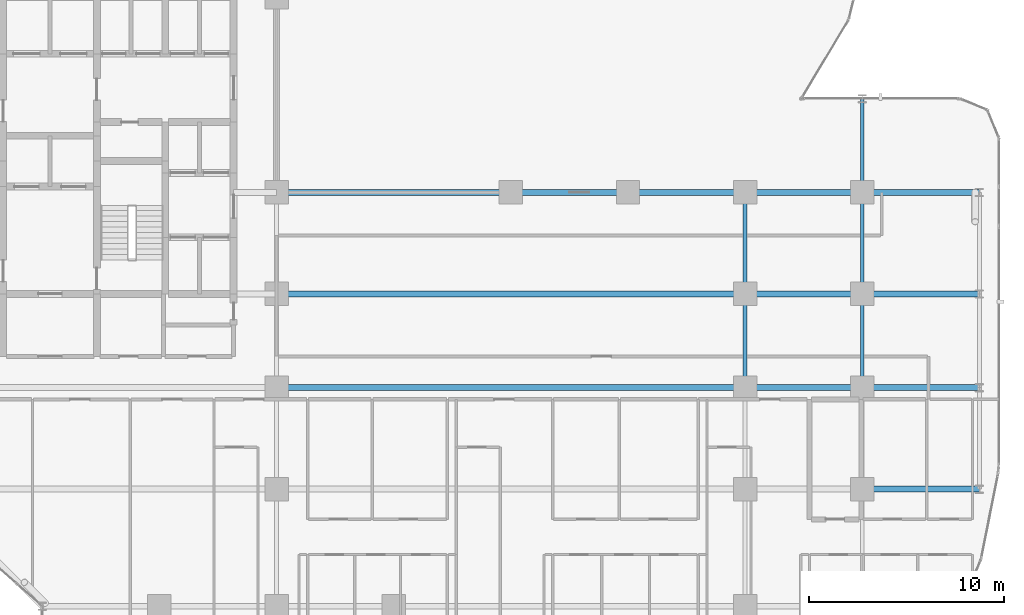
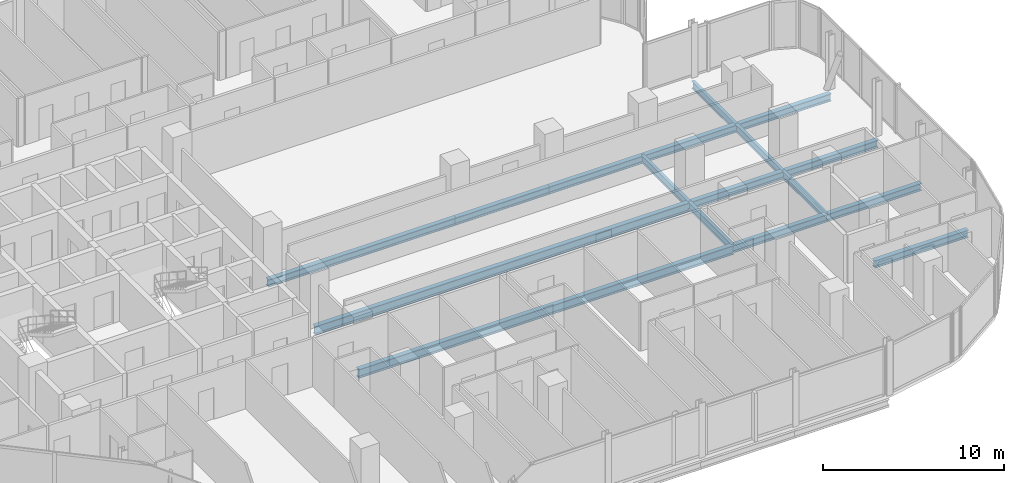
# One storey, part 11 of 34: 17 beams.
"""IFC4 building model written with IfcOpenShell, lengths in metres."""

from ifc_helpers import new_model, si_unit, direction, frame, origin, origin_2d, place, context, subcontext, project, spatial, i_section, extrude, material, material_profile, profile_set, type_object, element, save


model = new_model("IFC4")

# Units and contexts
model_context = context("Model", 3, precision=1e-05, world=origin(), true_north=direction((0.0, 1.0)))
body_context = subcontext(model_context, "Body", "Model", "MODEL_VIEW")
ifc_project = project(units=[si_unit("LENGTHUNIT", "METRE"), si_unit("AREAUNIT", "SQUARE_METRE"), si_unit("VOLUMEUNIT", "CUBIC_METRE"), si_unit("PLANEANGLEUNIT", "RADIAN"), si_unit("MASSUNIT", "GRAM", prefix="KILO")], contexts=[model_context])

# Site, building, storey
site_placement = place(None, origin())
site = spatial("IfcSite", under=ifc_project, at=site_placement, CompositionType="ELEMENT")
building_placement = place(site_placement, origin())
building = spatial("IfcBuilding", under=site, at=building_placement, Name="Keshet Zoharim Tower", CompositionType="ELEMENT")
storey_placement = place(building_placement, frame((0.0, 0.0, 77.5)))
storey = spatial("IfcBuildingStorey", under=building, at=storey_placement, Name="L18", CompositionType="ELEMENT", Elevation=77.5)

# Beams
ifc_material = material(Name="Steel S355", Category="steel")
ifc_material_profile_1 = material_profile(ifc_material, i_section(OverallWidth=0.300048828125, OverallDepth=0.60009765625, WebThickness=0.015380859375, FlangeThickness=0.030029296875, FilletRadius=0.027099609375, at=origin_2d()), Name="HEB600")
ifc_profile_set_1 = profile_set([ifc_material_profile_1], Name="Steel S355")
beam_type_1 = type_object("IfcBeamType", Name="BM-LNG-HB600", PredefinedType="BEAM", material=ifc_profile_set_1)
for number, where, z_axis, x_axis, name in (
    (1, (33.0, 17.89990234375, -0.614990234375), (1.0, 0.0, 0.0), (0.0, 1.0, 0.0), "L18 Primary Girder X-017"),
    (2, (33.0, 22.699951171875, -0.614990234375), (1.0, 0.0, 0.0), (0.0, 1.0, 0.0), "L18 Primary Girder X-020"),
):
    element("IfcBeam", number, at=place(storey_placement, frame(where, z_axis=z_axis, x_axis=x_axis)), inside=storey, type_object=beam_type_1, Name=name, PredefinedType="BEAM", context=body_context, shape_type="SweptSolid", body=[
        extrude(i_section(OverallWidth=0.300048828125, OverallDepth=0.60009765625, WebThickness=0.015380859375, FlangeThickness=0.030029296875, FilletRadius=0.027099609375, at=origin_2d()), origin(), (0.0, 0.0, 1.0), 24.0),
    ])
ifc_material_profile_2 = material_profile(ifc_material, i_section(OverallWidth=0.300048828125, OverallDepth=0.5, WebThickness=0.014404296875, FlangeThickness=0.028076171875, FilletRadius=0.027099609375, at=origin_2d()), Name="HEB500")
ifc_profile_set_2 = profile_set([ifc_material_profile_2], Name="Steel S355")
beam_type_2 = type_object("IfcBeamType", Name="BM-MED-HB500", PredefinedType="BEAM", material=ifc_profile_set_2)
beam_1_placement = place(storey_placement, frame((33.0, 27.89990234375, -0.56494140625), z_axis=(1.0, 0.0, 0.0), x_axis=(0.0, 1.0, 0.0)))
element("IfcBeam", 3, at=beam_1_placement, inside=storey, type_object=beam_type_2, Name="L18 Primary Girder X-023", PredefinedType="BEAM", context=body_context, shape_type="SweptSolid", body=[
    extrude(i_section(OverallWidth=0.300048828125, OverallDepth=0.5, WebThickness=0.014404296875, FlangeThickness=0.028076171875, FilletRadius=0.027099609375, at=origin_2d()), origin(), (0.0, 0.0, 1.0), 12.0),
])
ifc_material_profile_3 = material_profile(ifc_material, i_section(OverallWidth=0.199951171875, OverallDepth=0.5, WebThickness=0.01025390625, FlangeThickness=0.01611328125, FilletRadius=0.02099609375, at=origin_2d()), Name="IPE500")
ifc_profile_set_3 = profile_set([ifc_material_profile_3], Name="Steel S355")
beam_type_3 = type_object("IfcBeamType", Name="BM-PRI-IP500", PredefinedType="BEAM", material=ifc_profile_set_3)
beam_2_placement = place(storey_placement, frame((57.0, 17.89990234375, -0.56494140625), z_axis=(0.0, 1.0, 0.0), x_axis=(-1.0, 0.0, 0.0)))
element("IfcBeam", 4, at=beam_2_placement, inside=storey, type_object=beam_type_3, Name="L18 Primary Girder Y-016", PredefinedType="BEAM", context=body_context, shape_type="SweptSolid", body=[
    extrude(i_section(OverallWidth=0.199951171875, OverallDepth=0.5, WebThickness=0.01025390625, FlangeThickness=0.01611328125, FilletRadius=0.02099609375, at=origin_2d()), origin(), (0.0, 0.0, 1.0), 4.800048828125),
])
beam_3_placement = place(storey_placement, frame((57.0, 22.699951171875, -0.56494140625), z_axis=(0.0, 1.0, 0.0), x_axis=(-1.0, 0.0, 0.0)))
element("IfcBeam", 5, at=beam_3_placement, inside=storey, type_object=beam_type_3, Name="L18 Primary Girder Y-017", PredefinedType="BEAM", context=body_context, shape_type="SweptSolid", body=[
    extrude(i_section(OverallWidth=0.199951171875, OverallDepth=0.5, WebThickness=0.01025390625, FlangeThickness=0.01611328125, FilletRadius=0.02099609375, at=origin_2d()), origin(), (0.0, 0.0, 1.0), 5.199951171875),
])
beam_4_placement = place(storey_placement, frame((63.0, 17.89990234375, -0.56494140625), z_axis=(0.0, 1.0, 0.0), x_axis=(-1.0, 0.0, 0.0)))
element("IfcBeam", 6, at=beam_4_placement, inside=storey, type_object=beam_type_3, Name="L18 Primary Girder Y-020", PredefinedType="BEAM", context=body_context, shape_type="SweptSolid", body=[
    extrude(i_section(OverallWidth=0.199951171875, OverallDepth=0.5, WebThickness=0.01025390625, FlangeThickness=0.01611328125, FilletRadius=0.02099609375, at=origin_2d()), origin(), (0.0, 0.0, 1.0), 4.800048828125),
])
beam_5_placement = place(storey_placement, frame((63.0, 22.699951171875, -0.56494140625), z_axis=(0.0, 1.0, 0.0), x_axis=(-1.0, 0.0, 0.0)))
element("IfcBeam", 7, at=beam_5_placement, inside=storey, type_object=beam_type_3, Name="L18 Primary Girder Y-021", PredefinedType="BEAM", context=body_context, shape_type="SweptSolid", body=[
    extrude(i_section(OverallWidth=0.199951171875, OverallDepth=0.5, WebThickness=0.01025390625, FlangeThickness=0.01611328125, FilletRadius=0.02099609375, at=origin_2d()), origin(), (0.0, 0.0, 1.0), 5.199951171875),
])
beam_6_placement = place(storey_placement, frame((63.0, 27.89990234375, -0.56494140625), z_axis=(0.0, 1.0, 0.0), x_axis=(-1.0, 0.0, 0.0)))
element("IfcBeam", 8, at=beam_6_placement, inside=storey, type_object=beam_type_3, Name="L18 Primary Girder Y-022", PredefinedType="BEAM", context=body_context, shape_type="SweptSolid", body=[
    extrude(i_section(OverallWidth=0.199951171875, OverallDepth=0.5, WebThickness=0.01025390625, FlangeThickness=0.01611328125, FilletRadius=0.02099609375, at=origin_2d()), origin(), (0.0, 0.0, 1.0), 4.800048828125),
])
ifc_material_profile_4 = material_profile(ifc_material, i_section(OverallWidth=0.300048828125, OverallDepth=0.5, WebThickness=0.014404296875, FlangeThickness=0.028076171875, FilletRadius=0.027099609375, at=origin_2d()), Name="HEB500")
ifc_profile_set_4 = profile_set([ifc_material_profile_4], Name="Steel S355")
beam_type_4 = type_object("IfcBeamType", Name="BM-WEB-HB500", PredefinedType="BEAM", material=ifc_profile_set_4)
for number, where, z_axis, x_axis, name in (
    (9, (63.0, 12.699951171875, -0.56494140625), (1.0, 0.0, 0.0), (0.0, 1.0, 0.0), "L18 Primary Girder X-014"),
    (10, (57.0, 17.89990234375, -0.56494140625), (1.0, 0.0, 0.0), (0.0, 1.0, 0.0), "L18 Primary Girder X-018"),
    (11, (63.0, 17.89990234375, -0.56494140625), (1.0, 0.0, 0.0), (0.0, 1.0, 0.0), "L18 Primary Girder X-019"),
    (12, (57.0, 22.699951171875, -0.56494140625), (1.0, 0.0, 0.0), (0.0, 1.0, 0.0), "L18 Primary Girder X-021"),
    (13, (63.0, 22.699951171875, -0.56494140625), (1.0, 0.0, 0.0), (0.0, 1.0, 0.0), "L18 Primary Girder X-022"),
    (14, (45.0, 27.89990234375, -0.56494140625), (1.0, 0.0, 0.0), (0.0, 1.0, 0.0), "L18 Primary Girder X-024"),
    (15, (51.0, 27.89990234375, -0.56494140625), (1.0, 0.0, 0.0), (0.0, 1.0, 0.0), "L18 Primary Girder X-025"),
    (16, (57.0, 27.89990234375, -0.56494140625), (1.0, 0.0, 0.0), (0.0, 1.0, 0.0), "L18 Primary Girder X-026"),
    (17, (63.0, 27.89990234375, -0.56494140625), (1.0, 0.0, 0.0), (0.0, 1.0, 0.0), "L18 Primary Girder X-027"),
):
    element("IfcBeam", number, at=place(storey_placement, frame(where, z_axis=z_axis, x_axis=x_axis)), inside=storey, type_object=beam_type_4, Name=name, PredefinedType="BEAM", context=body_context, shape_type="SweptSolid", body=[
        extrude(i_section(OverallWidth=0.300048828125, OverallDepth=0.5, WebThickness=0.014404296875, FlangeThickness=0.028076171875, FilletRadius=0.027099609375, at=origin_2d()), origin(), (0.0, 0.0, 1.0), 6.0),
    ])

save(model, "model.ifc")
